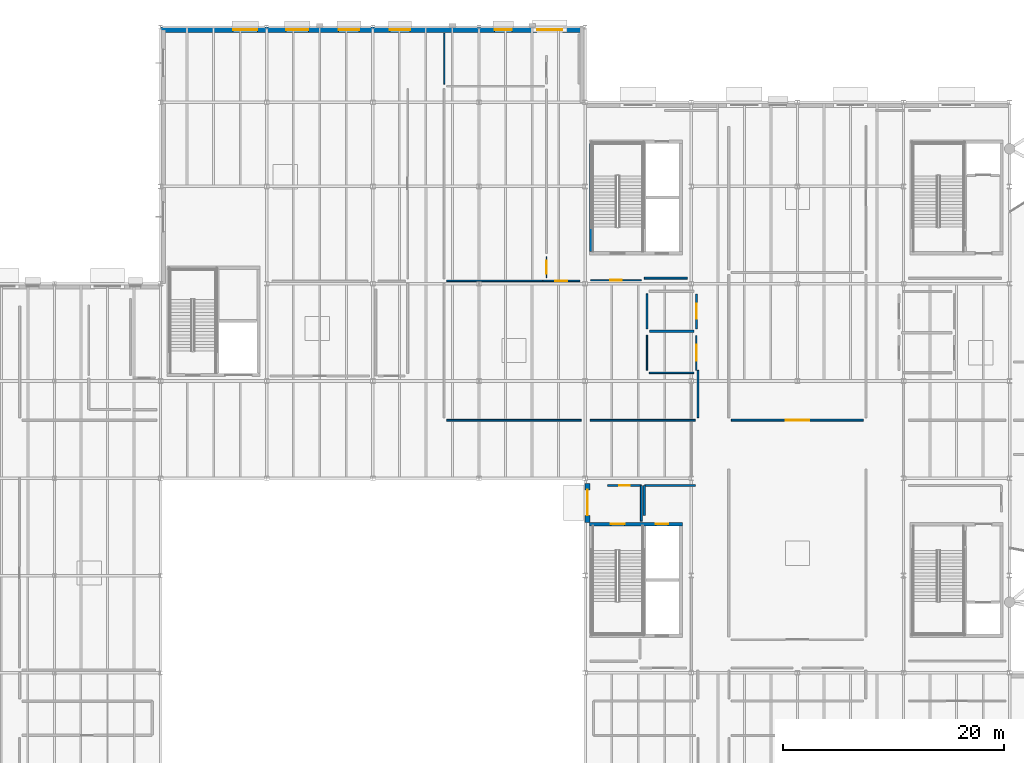
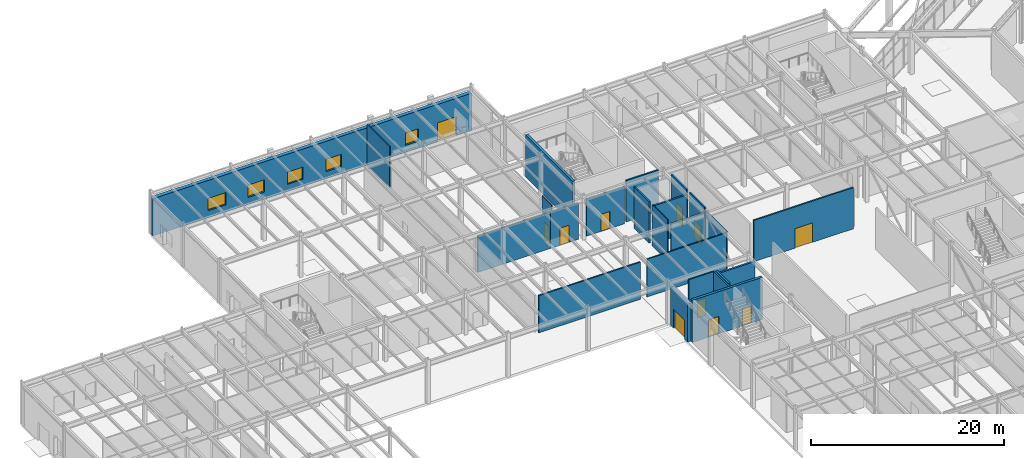
# One storey, part 50 of 70: 24 walls, 11 doors, 5 windows, 16 openings.
"""IFC4 building model written with IfcOpenShell, lengths in metres."""

from ifc_helpers import new_model, si_unit, direction, frame, frame_2d, origin, place, context, subcontext, project, spatial, rectangle, extrude, material, layer, layer_set, type_object, element, fill, save


model = new_model("IFC4")

# Units and contexts
model_context = context("Model", 3, precision=1e-05, world=origin(), true_north=direction((0.0, 1.0)))
body_context = subcontext(model_context, "Body", "Model", "MODEL_VIEW")
ifc_project = project(units=[si_unit("LENGTHUNIT", "METRE"), si_unit("AREAUNIT", "SQUARE_METRE"), si_unit("VOLUMEUNIT", "CUBIC_METRE"), si_unit("PLANEANGLEUNIT", "RADIAN"), si_unit("MASSUNIT", "GRAM", prefix="KILO")], contexts=[model_context])

# Site, building, storey
site_placement = place(None, origin())
site = spatial("IfcSite", under=ifc_project, at=site_placement, CompositionType="ELEMENT")
building_placement = place(site_placement, origin())
building = spatial("IfcBuilding", under=site, at=building_placement, Name="Sarnbrook Museum", CompositionType="ELEMENT")
storey_placement = place(building_placement, origin())
storey = spatial("IfcBuildingStorey", under=building, at=storey_placement, Name="L00", CompositionType="ELEMENT", Elevation=0.0)

# Wall, openings, doors
ifc_material_1 = material(Name="Concrete N50 (AS 3600, f'c = 50 MPa)", Category="concrete")
ifc_layer_1 = layer(ifc_material_1, 0.300048828125)
ifc_layer_set_1 = layer_set([ifc_layer_1], Name="Concrete N50 (AS 3600, f'c = 50 MPa)")
wall_type_1 = type_object("IfcWallType", Name="CoreWall_CWRC", PredefinedType="SHEAR", material=ifc_layer_set_1)
wall_1_placement = place(storey_placement, frame((89.60009765625, 70.25, 0.0), z_axis=(0.0, 0.0, 1.0), x_axis=(-1.0, 0.0, 0.0)))
wall_1 = element("IfcWall", 1, at=wall_1_placement, inside=storey, type_object=wall_type_1, Name="Core C3 Shear Wall N L00", PredefinedType="SHEAR", context=body_context, shape_type="SweptSolid", body=[
    extrude(rectangle(XDim=8.400146484375, YDim=0.300048828125, at=frame_2d((4.2001953125, 0.0))), origin(), (0.0, 0.0, 1.0), 5.344970703125),
])
opening_1_placement = place(wall_1_placement, frame((5.22509765625, 0.0, 0.0)))
opening_1 = element("IfcOpeningElement", 2, at=opening_1_placement, cuts=wall_1, Name="Opening D-ST-ST3-L00", PredefinedType="OPENING", context=body_context, shape_type="SweptSolid", body=[
    extrude(rectangle(XDim=1.25, YDim=2.199951171875, at=frame_2d((0.625, 1.10009765625))), frame((0.0, 0.16015625, 0.0), z_axis=(0.0, -1.0, 0.0), x_axis=(1.0, 0.0, 0.0)), (0.0, 0.0, 1.0), 0.320068359375),
])
opening_2_placement = place(wall_1_placement, frame((1.300048828125, 0.0, 0.0)))
opening_2 = element("IfcOpeningElement", 3, at=opening_2_placement, cuts=wall_1, Name="Opening LD-PL2-L00", PredefinedType="OPENING", context=body_context, shape_type="SweptSolid", body=[
    extrude(rectangle(XDim=1.10009765625, YDim=2.199951171875, at=frame_2d((0.550048828125, 1.10009765625))), frame((0.0, 0.16015625, 0.0), z_axis=(0.0, -1.0, 0.0), x_axis=(1.0, 0.0, 0.0)), (0.0, 0.0, 1.0), 0.320068359375),
])
ifc_material_2 = material(Name="Tasmanian Oak Acoustic Timber", Category="wood")
door_type_1 = type_object("IfcDoorType", Name="FireDoor_FD120", OperationType="NOTDEFINED", PredefinedType="DOOR", material=ifc_material_2)
door_1_placement = place(opening_1_placement, frame((1.25, 0.0, 0.0), z_axis=(0.0, 0.0, 1.0), x_axis=(-1.0, 0.0, 0.0)))
door_1 = element("IfcDoor", 4, at=door_1_placement, inside=storey, type_object=door_type_1, Name="Exit Stair ST3 Fire Door L00", OperationType="SINGLE_SWING_LEFT", OverallHeight=2.199951171875, OverallWidth=1.25, PredefinedType="DOOR", context=body_context, shape_type="SweptSolid", body=[
    extrude(rectangle(XDim=1.25, YDim=2.199951171875, at=frame_2d((0.625, 1.10009765625))), frame((0.0, 0.02490234375, 0.0), z_axis=(0.0, -1.0, 0.0), x_axis=(1.0, 0.0, 0.0)), (0.0, 0.0, 1.0), 0.050048828125),
])
fill(opening_1, door_1)
ifc_material_3 = material(Name="Brushed Stainless Steel Grade 316", Category="steel")
door_type_2 = type_object("IfcDoorType", Name="LiftDoor_Pax110", OperationType="DOUBLE_DOOR_SLIDING", PredefinedType="DOOR", material=ifc_material_3)
door_2_placement = place(opening_2_placement, origin())
door_2 = element("IfcDoor", 5, at=door_2_placement, inside=storey, type_object=door_type_2, Name="Lift Landing Sliding Door LD-PL2-L00", OperationType="DOUBLE_DOOR_SLIDING", OverallHeight=2.199951171875, OverallWidth=1.10009765625, PredefinedType="DOOR", context=body_context, shape_type="SweptSolid", body=[
    extrude(rectangle(XDim=1.10009765625, YDim=2.199951171875, at=frame_2d((0.550048828125, 1.10009765625))), frame((0.0, 0.02490234375, 0.0), z_axis=(0.0, -1.0, 0.0), x_axis=(1.0, 0.0, 0.0)), (0.0, 0.0, 1.0), 0.050048828125),
])
fill(opening_2, door_2)

# Wall
wall_2_placement = place(storey_placement, frame((81.35009765625, 104.68994140625, 0.0), z_axis=(0.0, 0.0, 1.0), x_axis=(0.0, -1.0, 0.0)))
element("IfcWall", 6, at=wall_2_placement, inside=storey, type_object=wall_type_1, Name="Core C4 Shear Wall W L00", PredefinedType="SHEAR", context=body_context, shape_type="SweptSolid", body=[
    extrude(rectangle(XDim=9.780029296875, YDim=0.300048828125, at=frame_2d((4.89013671875, 0.0))), origin(), (0.0, 0.0, 1.0), 5.344970703125),
])

# Wall, opening, door
ifc_material_4 = material(Name="Fire-Rated Acoustic Gypsum Plasterboard")
ifc_layer_2 = layer(ifc_material_4, 0.1201171875)
ifc_layer_set_2 = layer_set([ifc_layer_2], Name="Fire-Rated Acoustic Gypsum Plasterboard")
wall_type_2 = type_object("IfcWallType", Name="PartWall_P120", PredefinedType="PARTITIONING", material=ifc_layer_set_2)
wall_3_placement = place(storey_placement, frame((77.31005859375, 94.47998046875, 0.0), z_axis=(0.0, 0.0, 1.0), x_axis=(0.0, -1.0, 0.0)))
wall_3 = element("IfcWall", 7, at=wall_3_placement, inside=storey, type_object=wall_type_2, Name="Interior Partition Wall L00-0153", PredefinedType="PARTITIONING", context=body_context, shape_type="SweptSolid", body=[
    extrude(rectangle(XDim=1.97998046875, YDim=0.1201171875, at=frame_2d((0.989990234375, 0.0))), origin(), (0.0, 0.0, 1.0), 5.22998046875),
])
opening_3_placement = place(wall_3_placement, frame((0.409912109375, 0.0, 0.0)))
opening_3 = element("IfcOpeningElement", 8, at=opening_3_placement, cuts=wall_3, Name="Opening D-L00-049", PredefinedType="OPENING", context=body_context, shape_type="SweptSolid", body=[
    extrude(rectangle(XDim=1.159912109375, YDim=2.159912109375, at=frame_2d((0.580078125, 1.080078125))), frame((0.0, 0.070068359375, 0.0), z_axis=(0.0, -1.0, 0.0), x_axis=(1.0, 0.0, 0.0)), (0.0, 0.0, 1.0), 0.14013671875),
])
door_type_3 = type_object("IfcDoorType", Name="IntDoor_DT11", OperationType="NOTDEFINED", PredefinedType="DOOR", material=ifc_material_2)
door_3_placement = place(opening_3_placement, frame((1.159912109375, 0.0, 0.0), z_axis=(0.0, 0.0, 1.0), x_axis=(-1.0, 0.0, 0.0)))
door_3 = element("IfcDoor", 9, at=door_3_placement, inside=storey, type_object=door_type_3, Name="Museum Bookshop & Retail Hall L00-33 Door D-L00-049", OperationType="SINGLE_SWING_LEFT", OverallHeight=2.159912109375, OverallWidth=1.159912109375, PredefinedType="DOOR", context=body_context, shape_type="SweptSolid", body=[
    extrude(rectangle(XDim=1.159912109375, YDim=2.159912109375, at=frame_2d((0.580078125, 1.080078125))), frame((0.0, 0.02490234375, 0.0), z_axis=(0.0, -1.0, 0.0), x_axis=(1.0, 0.0, 0.0)), (0.0, 0.0, 1.0), 0.050048828125),
])
fill(opening_3, door_3)

# Walls
wall_4_placement = place(storey_placement, frame((86.389892578125, 84.169921875, 0.0), z_axis=(0.0, 0.0, 1.0), x_axis=(0.0, 1.0, 0.0)))
element("IfcWall", 10, at=wall_4_placement, inside=storey, type_object=wall_type_2, Name="Interior Partition Wall L00-0181", PredefinedType="PARTITIONING", context=body_context, shape_type="SweptSolid", body=[
    extrude(rectangle(XDim=3.16015625, YDim=0.1201171875, at=frame_2d((1.580078125, 0.0))), origin(), (0.0, 0.0, 1.0), 5.22998046875),
])
wall_5_placement = place(storey_placement, frame((68.050048828125, 110.050048828125, 0.0), z_axis=(0.0, 0.0, 1.0), x_axis=(0.0, 1.0, 0.0)))
element("IfcWall", 11, at=wall_5_placement, inside=storey, type_object=wall_type_2, Name="Interior Partition Wall L00-0265", PredefinedType="PARTITIONING", context=body_context, shape_type="SweptSolid", body=[
    extrude(rectangle(XDim=4.60986328125, YDim=0.1201171875, at=frame_2d((2.304931640625, 0.0))), origin(), (0.0, 0.0, 1.0), 5.22998046875),
])

# Wall, opening, door
ifc_layer_3 = layer(ifc_material_4, 0.135009765625)
ifc_layer_set_3 = layer_set([ifc_layer_3], Name="Fire-Rated Acoustic Gypsum Plasterboard")
wall_type_3 = type_object("IfcWallType", Name="PartWall_P135", PredefinedType="PARTITIONING", material=ifc_layer_set_3)
wall_6_placement = place(storey_placement, frame((76.97998046875, 92.260009765625, 0.0), z_axis=(0.0, 0.0, 1.0), x_axis=(1.0, 0.0, 0.0)))
wall_6 = element("IfcWall", 12, at=wall_6_placement, inside=storey, type_object=wall_type_3, Name="Interior Partition Wall L00-0152", PredefinedType="PARTITIONING", context=body_context, shape_type="SweptSolid", body=[
    extrude(rectangle(XDim=3.340087890625, YDim=0.135009765625, at=frame_2d((1.669921875, 0.0))), origin(), (0.0, 0.0, 1.0), 4.637939453125),
])
opening_4_placement = place(wall_6_placement, frame((1.125, 0.0, 0.0)))
opening_4 = element("IfcOpeningElement", 13, at=opening_4_placement, cuts=wall_6, Name="Opening D-L00-048", PredefinedType="OPENING", context=body_context, shape_type="SweptSolid", body=[
    extrude(rectangle(XDim=1.090087890625, YDim=2.159912109375, at=frame_2d((0.544921875, 1.080078125))), frame((0.0, 0.07763671875, 0.0), z_axis=(0.0, -1.0, 0.0), x_axis=(1.0, 0.0, 0.0)), (0.0, 0.0, 1.0), 0.155029296875),
])
door_type_4 = type_object("IfcDoorType", Name="IntDoor_DT10", OperationType="NOTDEFINED", PredefinedType="DOOR", material=ifc_material_2)
door_4_placement = place(opening_4_placement, frame((1.090087890625, 0.0, 0.0), z_axis=(0.0, 0.0, 1.0), x_axis=(-1.0, 0.0, 0.0)))
door_4 = element("IfcDoor", 14, at=door_4_placement, inside=storey, type_object=door_type_4, Name="Sculpture Plinth Gallery L00-32 Door D-L00-048", OperationType="SINGLE_SWING_RIGHT", OverallHeight=2.159912109375, OverallWidth=1.090087890625, PredefinedType="DOOR", context=body_context, shape_type="SweptSolid", body=[
    extrude(rectangle(XDim=1.090087890625, YDim=2.159912109375, at=frame_2d((0.544921875, 1.080078125))), frame((0.0, 0.02490234375, 0.0), z_axis=(0.0, -1.0, 0.0), x_axis=(1.0, 0.0, 0.0)), (0.0, 0.0, 1.0), 0.050048828125),
])
fill(opening_4, door_4)

# Walls
wall_7_placement = place(storey_placement, frame((90.6298828125, 83.93994140625, 0.0), z_axis=(0.0, 0.0, 1.0), x_axis=(-1.0, 0.0, 0.0)))
element("IfcWall", 15, at=wall_7_placement, inside=storey, type_object=wall_type_3, Name="Interior Partition Wall L00-0180", PredefinedType="PARTITIONING", context=body_context, shape_type="SweptSolid", body=[
    extrude(rectangle(XDim=4.009765625, YDim=0.135009765625, at=frame_2d((2.0048828125, 0.0))), origin(), (0.0, 0.0, 1.0), 4.787109375),
])
wall_8_placement = place(storey_placement, frame((68.280029296875, 92.260009765625, 0.0), z_axis=(0.0, 0.0, 1.0), x_axis=(1.0, 0.0, 0.0)))
element("IfcWall", 16, at=wall_8_placement, inside=storey, type_object=wall_type_3, Name="Interior Partition Wall L00-0292", PredefinedType="PARTITIONING", context=body_context, shape_type="SweptSolid", body=[
    extrude(rectangle(XDim=8.699951171875, YDim=0.135009765625, at=frame_2d((4.35009765625, 0.0))), origin(), (0.0, 0.0, 1.0), 4.637939453125),
])

# Wall, opening, door
ifc_layer_4 = layer(ifc_material_4, 0.14990234375)
ifc_layer_set_4 = layer_set([ifc_layer_4], Name="Fire-Rated Acoustic Gypsum Plasterboard")
wall_type_4 = type_object("IfcWallType", Name="PartWall_P150", PredefinedType="PARTITIONING", material=ifc_layer_set_4)
wall_9_placement = place(storey_placement, frame((81.280029296875, 92.31005859375, 0.0), z_axis=(0.0, 0.0, 1.0), x_axis=(1.0, 0.0, 0.0)))
wall_9 = element("IfcWall", 17, at=wall_9_placement, inside=storey, type_object=wall_type_4, Name="Interior Partition Wall L00-0151", PredefinedType="PARTITIONING", context=body_context, shape_type="SweptSolid", body=[
    extrude(rectangle(XDim=4.599853515625, YDim=0.14990234375, at=frame_2d((2.2998046875, 0.0))), origin(), (0.0, 0.0, 1.0), 4.7080078125),
])
opening_5_placement = place(wall_9_placement, frame((1.784912109375, 0.0, 0.0)))
opening_5 = element("IfcOpeningElement", 18, at=opening_5_placement, cuts=wall_9, Name="Opening D-L00-047", PredefinedType="OPENING", context=body_context, shape_type="SweptSolid", body=[
    extrude(rectangle(XDim=1.030029296875, YDim=2.159912109375, at=frame_2d((0.51513671875, 1.080078125))), frame((0.0, 0.0849609375, 0.0), z_axis=(0.0, -1.0, 0.0), x_axis=(1.0, 0.0, 0.0)), (0.0, 0.0, 1.0), 0.169921875),
])
door_type_5 = type_object("IfcDoorType", Name="IntDoor_DT09", OperationType="NOTDEFINED", PredefinedType="DOOR", material=ifc_material_2)
door_5_placement = place(opening_5_placement, frame((1.030029296875, 0.0, 0.0), z_axis=(0.0, 0.0, 1.0), x_axis=(-1.0, 0.0, 0.0)))
door_5 = element("IfcDoor", 19, at=door_5_placement, inside=storey, type_object=door_type_5, Name="Seminar & Education Studio L00-9 Door D-L00-047", OperationType="SINGLE_SWING_LEFT", OverallHeight=2.159912109375, OverallWidth=1.030029296875, PredefinedType="DOOR", context=body_context, shape_type="SweptSolid", body=[
    extrude(rectangle(XDim=1.030029296875, YDim=2.159912109375, at=frame_2d((0.51513671875, 1.080078125))), frame((0.0, 0.02490234375, 0.0), z_axis=(0.0, -1.0, 0.0), x_axis=(1.0, 0.0, 0.0)), (0.0, 0.0, 1.0), 0.050048828125),
])
fill(opening_5, door_5)

wall_10_placement = place(storey_placement, frame((90.860107421875, 87.330078125, 0.0), z_axis=(0.0, 0.0, 1.0), x_axis=(0.0, -1.0, 0.0)))
wall_10 = element("IfcWall", 20, at=wall_10_placement, inside=storey, type_object=wall_type_4, Name="Interior Partition Wall L00-0179", PredefinedType="PARTITIONING", context=body_context, shape_type="SweptSolid", body=[
    extrude(rectangle(XDim=3.16015625, YDim=0.14990234375, at=frame_2d((1.580078125, 0.0))), origin(), (0.0, 0.0, 1.0), 5.22998046875),
])
opening_6_placement = place(wall_10_placement, frame((0.840087890625, 0.0, 0.0)))
opening_6 = element("IfcOpeningElement", 21, at=opening_6_placement, cuts=wall_10, Name="Opening D-L00-058", PredefinedType="OPENING", context=body_context, shape_type="SweptSolid", body=[
    extrude(rectangle(XDim=1.47998046875, YDim=2.239990234375, at=frame_2d((0.739990234375, 1.1201171875))), frame((0.0, 0.0849609375, 0.0), z_axis=(0.0, -1.0, 0.0), x_axis=(1.0, 0.0, 0.0)), (0.0, 0.0, 1.0), 0.169921875),
])
door_type_6 = type_object("IfcDoorType", Name="IntDoor_DT20", OperationType="NOTDEFINED", PredefinedType="DOOR", material=ifc_material_2)
door_6_placement = place(opening_6_placement, frame((1.47998046875, 0.0, 0.0), z_axis=(0.0, 0.0, 1.0), x_axis=(-1.0, 0.0, 0.0)))
door_6 = element("IfcDoor", 22, at=door_6_placement, inside=storey, type_object=door_type_6, Name="Curatorial Staff Toilet L00 Door D-L00-058", OperationType="SINGLE_SWING_RIGHT", OverallHeight=2.239990234375, OverallWidth=1.47998046875, PredefinedType="DOOR", context=body_context, shape_type="SweptSolid", body=[
    extrude(rectangle(XDim=1.47998046875, YDim=2.239990234375, at=frame_2d((0.739990234375, 1.1201171875))), frame((0.0, 0.02490234375, 0.0), z_axis=(0.0, -1.0, 0.0), x_axis=(1.0, 0.0, 0.0)), (0.0, 0.0, 1.0), 0.050048828125),
])
fill(opening_6, door_6)

# Wall
wall_11_placement = place(storey_placement, frame((90.77001953125, 79.64990234375, 0.0), z_axis=(0.0, 0.0, 1.0), x_axis=(-1.0, 0.0, 0.0)))
element("IfcWall", 23, at=wall_11_placement, inside=storey, type_object=wall_type_4, Name="Interior Partition Wall L00-0207", PredefinedType="PARTITIONING", context=body_context, shape_type="SweptSolid", body=[
    extrude(rectangle(XDim=9.52001953125, YDim=0.14990234375, at=frame_2d((4.760009765625, 0.0))), origin(), (0.0, 0.0, 1.0), 4.787109375),
])

# Wall, opening, door
ifc_layer_5 = layer(ifc_material_4, 0.1650390625)
ifc_layer_set_5 = layer_set([ifc_layer_5], Name="Fire-Rated Acoustic Gypsum Plasterboard")
wall_type_5 = type_object("IfcWallType", Name="PartWall_P165", PredefinedType="PARTITIONING", material=ifc_layer_set_5)
wall_12_placement = place(storey_placement, frame((85.8798828125, 73.739990234375, 0.0), z_axis=(0.0, 0.0, 1.0), x_axis=(-1.0, 0.0, 0.0)))
wall_12 = element("IfcWall", 24, at=wall_12_placement, inside=storey, type_object=wall_type_5, Name="Interior Partition Wall L00-0150", PredefinedType="PARTITIONING", context=body_context, shape_type="SweptSolid", body=[
    extrude(rectangle(XDim=3.0478515625, YDim=0.1650390625, at=frame_2d((1.52392578125, 0.0))), origin(), (0.0, 0.0, 1.0), 5.22998046875),
])
opening_7_placement = place(wall_12_placement, frame((1.0390625, 0.0, 0.0)))
opening_7 = element("IfcOpeningElement", 25, at=opening_7_placement, cuts=wall_12, Name="Opening D-L00-046", PredefinedType="OPENING", context=body_context, shape_type="SweptSolid", body=[
    extrude(rectangle(XDim=0.969970703125, YDim=2.159912109375, at=frame_2d((0.48486328125, 1.080078125))), frame((0.0, 0.092529296875, 0.0), z_axis=(0.0, -1.0, 0.0), x_axis=(1.0, 0.0, 0.0)), (0.0, 0.0, 1.0), 0.18505859375),
])
door_type_7 = type_object("IfcDoorType", Name="IntDoor_DT08", OperationType="NOTDEFINED", PredefinedType="DOOR", material=ifc_material_2)
door_7_placement = place(opening_7_placement, origin())
door_7 = element("IfcDoor", 26, at=door_7_placement, inside=storey, type_object=door_type_7, Name="Cloakroom & Visitor Services L00-8 Door D-L00-046", OperationType="SINGLE_SWING_RIGHT", OverallHeight=2.159912109375, OverallWidth=0.969970703125, PredefinedType="DOOR", context=body_context, shape_type="SweptSolid", body=[
    extrude(rectangle(XDim=0.969970703125, YDim=2.159912109375, at=frame_2d((0.48486328125, 1.080078125))), frame((0.0, 0.02490234375, 0.0), z_axis=(0.0, -1.0, 0.0), x_axis=(1.0, 0.0, 0.0)), (0.0, 0.0, 1.0), 0.050048828125),
])
fill(opening_7, door_7)

# Walls
wall_13_placement = place(storey_placement, frame((86.389892578125, 87.919921875, 0.0), z_axis=(0.0, 0.0, 1.0), x_axis=(0.0, 1.0, 0.0)))
element("IfcWall", 27, at=wall_13_placement, inside=storey, type_object=wall_type_5, Name="Interior Partition Wall L00-0178", PredefinedType="PARTITIONING", context=body_context, shape_type="SweptSolid", body=[
    extrude(rectangle(XDim=3.16015625, YDim=0.1650390625, at=frame_2d((1.580078125, 0.0))), origin(), (0.0, 0.0, 1.0), 5.22998046875),
])
wall_14_placement = place(storey_placement, frame((91.0, 84.169921875, 0.0), z_axis=(0.0, 0.0, 1.0), x_axis=(0.0, -1.0, 0.0)))
element("IfcWall", 28, at=wall_14_placement, inside=storey, type_object=wall_type_5, Name="Interior Partition Wall L00-0206", PredefinedType="PARTITIONING", context=body_context, shape_type="SweptSolid", body=[
    extrude(rectangle(XDim=4.2900390625, YDim=0.1650390625, at=frame_2d((2.14501953125, 0.0))), origin(), (0.0, 0.0, 1.0), 4.7080078125),
])
wall_15_placement = place(storey_placement, frame((80.43994140625, 79.64990234375, 0.0), z_axis=(0.0, 0.0, 1.0), x_axis=(-1.0, 0.0, 0.0)))
element("IfcWall", 29, at=wall_15_placement, inside=storey, type_object=wall_type_5, Name="Interior Partition Wall L00-0262", PredefinedType="PARTITIONING", context=body_context, shape_type="SweptSolid", body=[
    extrude(rectangle(XDim=12.159912109375, YDim=0.1650390625, at=frame_2d((6.080078125, 0.0))), origin(), (0.0, 0.0, 1.0), 4.717041015625),
])
ifc_layer_6 = layer(ifc_material_4, 0.179931640625)
ifc_layer_set_6 = layer_set([ifc_layer_6], Name="Fire-Rated Acoustic Gypsum Plasterboard")
wall_type_6 = type_object("IfcWallType", Name="PartWall_P180", PredefinedType="PARTITIONING", material=ifc_layer_set_6)
wall_16_placement = place(storey_placement, frame((85.889892578125, 70.52001953125, 0.0), z_axis=(0.0, 0.0, 1.0), x_axis=(0.0, 1.0, 0.0)))
element("IfcWall", 30, at=wall_16_placement, inside=storey, type_object=wall_type_6, Name="Interior Partition Wall L00-0149", PredefinedType="PARTITIONING", context=body_context, shape_type="SweptSolid", body=[
    extrude(rectangle(XDim=3.2099609375, YDim=0.179931640625, at=frame_2d((1.60498046875, 0.0))), origin(), (0.0, 0.0, 1.0), 5.22998046875),
])
wall_17_placement = place(storey_placement, frame((86.159912109375, 92.5, 0.0), z_axis=(0.0, 0.0, 1.0), x_axis=(1.0, 0.0, 0.0)))
element("IfcWall", 31, at=wall_17_placement, inside=storey, type_object=wall_type_6, Name="Interior Partition Wall L00-0205", PredefinedType="PARTITIONING", context=body_context, shape_type="SweptSolid", body=[
    extrude(rectangle(XDim=3.897216796875, YDim=0.179931640625, at=frame_2d((1.94873046875, 0.0))), origin(), (0.0, 0.0, 1.0), 5.22998046875),
])

# Wall, opening, door
wall_18_placement = place(storey_placement, frame((105.969970703125, 79.64990234375, 0.0), z_axis=(0.0, 0.0, 1.0), x_axis=(-1.0, 0.0, 0.0)))
wall_18 = element("IfcWall", 32, at=wall_18_placement, inside=storey, type_object=wall_type_6, Name="Interior Partition Wall L00-0226", PredefinedType="PARTITIONING", context=body_context, shape_type="SweptSolid", body=[
    extrude(rectangle(XDim=11.93994140625, YDim=0.179931640625, at=frame_2d((5.969970703125, 0.0))), origin(), (0.0, 0.0, 1.0), 5.22998046875),
])
opening_8_placement = place(wall_18_placement, frame((4.89990234375, 0.0, 0.0)))
opening_8 = element("IfcOpeningElement", 33, at=opening_8_placement, cuts=wall_18, Name="Opening D-L00-071", PredefinedType="OPENING", context=body_context, shape_type="SweptSolid", body=[
    extrude(rectangle(XDim=2.139892578125, YDim=2.4599609375, at=frame_2d((1.06982421875, 1.22998046875))), frame((0.0, 0.10009765625, 0.0), z_axis=(0.0, -1.0, 0.0), x_axis=(1.0, 0.0, 0.0)), (0.0, 0.0, 1.0), 0.199951171875),
])
door_type_8 = type_object("IfcDoorType", Name="IntDoor_DT33", OperationType="NOTDEFINED", PredefinedType="DOOR", material=ifc_material_2)
door_8_placement = place(opening_8_placement, origin())
door_8 = element("IfcDoor", 34, at=door_8_placement, inside=storey, type_object=door_type_8, Name="Museum Bookshop & Retail Hall L00-15 Door D-L00-071", OperationType="DOUBLE_DOOR_SINGLE_SWING", OverallHeight=2.4599609375, OverallWidth=2.139892578125, PredefinedType="DOOR", context=body_context, shape_type="SweptSolid", body=[
    extrude(rectangle(XDim=2.139892578125, YDim=2.4599609375, at=frame_2d((1.06982421875, 1.22998046875))), frame((0.0, 0.02490234375, 0.0), z_axis=(0.0, -1.0, 0.0), x_axis=(1.0, 0.0, 0.0)), (0.0, 0.0, 1.0), 0.050048828125),
])
fill(opening_8, door_8)

# Wall
ifc_layer_7 = layer(ifc_material_4, 0.195068359375)
ifc_layer_set_7 = layer_set([ifc_layer_7], Name="Fire-Rated Acoustic Gypsum Plasterboard")
wall_type_7 = type_object("IfcWallType", Name="PartWall_P195", PredefinedType="PARTITIONING", material=ifc_layer_set_7)
wall_19_placement = place(storey_placement, frame((86.14990234375, 73.739990234375, 0.0), z_axis=(0.0, 0.0, 1.0), x_axis=(0.0, -1.0, 0.0)))
element("IfcWall", 35, at=wall_19_placement, inside=storey, type_object=wall_type_7, Name="Interior Partition Wall L00-0148", PredefinedType="PARTITIONING", context=body_context, shape_type="SweptSolid", body=[
    extrude(rectangle(XDim=2.706787109375, YDim=0.195068359375, at=frame_2d((1.353515625, 0.0))), origin(), (0.0, 0.0, 1.0), 5.22998046875),
])

# Wall, opening, door
wall_20_placement = place(storey_placement, frame((90.860107421875, 91.080078125, 0.0), z_axis=(0.0, 0.0, 1.0), x_axis=(0.0, -1.0, 0.0)))
wall_20 = element("IfcWall", 36, at=wall_20_placement, inside=storey, type_object=wall_type_7, Name="Interior Partition Wall L00-0176", PredefinedType="PARTITIONING", context=body_context, shape_type="SweptSolid", body=[
    extrude(rectangle(XDim=3.16015625, YDim=0.195068359375, at=frame_2d((1.580078125, 0.0))), origin(), (0.0, 0.0, 1.0), 5.22998046875),
])
opening_9_placement = place(wall_20_placement, frame((0.889892578125, 0.0, 0.0)))
opening_9 = element("IfcOpeningElement", 37, at=opening_9_placement, cuts=wall_20, Name="Opening D-L00-057", PredefinedType="OPENING", context=body_context, shape_type="SweptSolid", body=[
    extrude(rectangle(XDim=1.3798828125, YDim=2.239990234375, at=frame_2d((0.68994140625, 1.1201171875))), frame((0.0, 0.107421875, 0.0), z_axis=(0.0, -1.0, 0.0), x_axis=(1.0, 0.0, 0.0)), (0.0, 0.0, 1.0), 0.215087890625),
])
door_type_9 = type_object("IfcDoorType", Name="IntDoor_DT19", OperationType="NOTDEFINED", PredefinedType="DOOR", material=ifc_material_2)
door_9_placement = place(opening_9_placement, frame((1.3798828125, 0.0, 0.0), z_axis=(0.0, 0.0, 1.0), x_axis=(-1.0, 0.0, 0.0)))
door_9 = element("IfcDoor", 38, at=door_9_placement, inside=storey, type_object=door_type_9, Name="Accessible Unisex Toilet L00 Door D-L00-057", OperationType="SINGLE_SWING_LEFT", OverallHeight=2.239990234375, OverallWidth=1.3798828125, PredefinedType="DOOR", context=body_context, shape_type="SweptSolid", body=[
    extrude(rectangle(XDim=1.3798828125, YDim=2.239990234375, at=frame_2d((0.68994140625, 1.1201171875))), frame((0.0, 0.02490234375, 0.0), z_axis=(0.0, -1.0, 0.0), x_axis=(1.0, 0.0, 0.0)), (0.0, 0.0, 1.0), 0.050048828125),
])
fill(opening_9, door_9)

# Walls
ifc_layer_8 = layer(ifc_material_4, 0.2099609375)
ifc_layer_set_8 = layer_set([ifc_layer_8], Name="Fire-Rated Acoustic Gypsum Plasterboard")
wall_type_8 = type_object("IfcWallType", Name="PartWall_P210", PredefinedType="PARTITIONING", material=ifc_layer_set_8)
wall_21_placement = place(storey_placement, frame((90.6298828125, 87.68994140625, 0.0), z_axis=(0.0, 0.0, 1.0), x_axis=(-1.0, 0.0, 0.0)))
element("IfcWall", 39, at=wall_21_placement, inside=storey, type_object=wall_type_8, Name="Interior Partition Wall L00-0175", PredefinedType="PARTITIONING", context=body_context, shape_type="SweptSolid", body=[
    extrude(rectangle(XDim=4.009765625, YDim=0.2099609375, at=frame_2d((2.0048828125, 0.0))), origin(), (0.0, 0.0, 1.0), 4.787109375),
])
wall_22_placement = place(storey_placement, frame((90.77001953125, 73.75, 0.0), z_axis=(0.0, 0.0, 1.0), x_axis=(-1.0, 0.0, 0.0)))
element("IfcWall", 40, at=wall_22_placement, inside=storey, type_object=wall_type_8, Name="Interior Partition Wall L00-0203", PredefinedType="PARTITIONING", context=body_context, shape_type="SweptSolid", body=[
    extrude(rectangle(XDim=4.610107421875, YDim=0.2099609375, at=frame_2d((2.30517578125, 0.0))), origin(), (0.0, 0.0, 1.0), 4.787109375),
])

# Wall, openings, door, windows
ifc_material_5 = material(Name="Barrabool Sandstone Ashlar Cladding", Category="masonry")
ifc_layer_9 = layer(ifc_material_5, 0.4599609375)
ifc_layer_set_9 = layer_set([ifc_layer_9], Name="Barrabool Sandstone Ashlar Cladding")
wall_type_9 = type_object("IfcWallType", Name="Wall_SandstoneExt460", PredefinedType="SOLIDWALL", material=ifc_layer_set_9)
wall_23_placement = place(storey_placement, frame((80.56396484375, 114.969970703125, 0.0), z_axis=(0.0, 0.0, 1.0), x_axis=(-1.0, 0.0, 0.0)))
wall_23 = element("IfcWall", 41, at=wall_23_placement, inside=storey, type_object=wall_type_9, Name="Classical Sandstone Facade Wall L00-08", PredefinedType="SOLIDWALL", context=body_context, shape_type="SweptSolid", body=[
    extrude(rectangle(XDim=38.1640625, YDim=0.4599609375, at=frame_2d((19.08203125, 0.0))), origin(), (0.0, 0.0, 1.0), 4.73193359375),
])
opening_10_placement = place(wall_23_placement, frame((1.81396484375, 0.0, 0.0)))
opening_10 = element("IfcOpeningElement", 42, at=opening_10_placement, cuts=wall_23, Name="Opening ED36", PredefinedType="OPENING", context=body_context, shape_type="SweptSolid", body=[
    extrude(rectangle(XDim=2.300048828125, YDim=2.39990234375, at=frame_2d((1.14990234375, 1.199951171875))), frame((0.0, 0.239990234375, 0.0), z_axis=(0.0, -1.0, 0.0), x_axis=(1.0, 0.0, 0.0)), (0.0, 0.0, 1.0), 0.47998046875),
])
opening_11_placement = place(wall_23_placement, frame((6.39990234375, 0.0, 0.89990234375)))
opening_11 = element("IfcOpeningElement", 43, at=opening_11_placement, cuts=wall_23, Name="Opening WT-05", PredefinedType="OPENING", context=body_context, shape_type="SweptSolid", body=[
    extrude(rectangle(XDim=1.550048828125, YDim=1.550048828125, at=frame_2d((0.77490234375, 0.77490234375))), frame((0.0, 0.239990234375, 0.0), z_axis=(0.0, -1.0, 0.0), x_axis=(1.0, 0.0, 0.0)), (0.0, 0.0, 1.0), 0.47998046875),
])
opening_12_placement = place(wall_23_placement, frame((15.60009765625, 0.0, 0.89990234375)))
opening_12 = element("IfcOpeningElement", 44, at=opening_12_placement, cuts=wall_23, Name="Opening WT-06", PredefinedType="OPENING", context=body_context, shape_type="SweptSolid", body=[
    extrude(rectangle(XDim=1.820068359375, YDim=1.550048828125, at=frame_2d((0.91015625, 0.77490234375))), frame((0.0, 0.239990234375, 0.0), z_axis=(0.0, -1.0, 0.0), x_axis=(1.0, 0.0, 0.0)), (0.0, 0.0, 1.0), 0.47998046875),
])
opening_13_placement = place(wall_23_placement, frame((20.199951171875, 0.0, 0.89990234375)))
opening_13 = element("IfcOpeningElement", 45, at=opening_13_placement, cuts=wall_23, Name="Opening WT-07", PredefinedType="OPENING", context=body_context, shape_type="SweptSolid", body=[
    extrude(rectangle(XDim=1.85009765625, YDim=1.550048828125, at=frame_2d((0.925048828125, 0.77490234375))), frame((0.0, 0.239990234375, 0.0), z_axis=(0.0, -1.0, 0.0), x_axis=(1.0, 0.0, 0.0)), (0.0, 0.0, 1.0), 0.47998046875),
])
opening_14_placement = place(wall_23_placement, frame((24.800048828125, 0.0, 0.89990234375)))
opening_14 = element("IfcOpeningElement", 46, at=opening_14_placement, cuts=wall_23, Name="Opening WT-08", PredefinedType="OPENING", context=body_context, shape_type="SweptSolid", body=[
    extrude(rectangle(XDim=2.0, YDim=1.550048828125, at=frame_2d((1.0, 0.77490234375))), frame((0.0, 0.239990234375, 0.0), z_axis=(0.0, -1.0, 0.0), x_axis=(1.0, 0.0, 0.0)), (0.0, 0.0, 1.0), 0.47998046875),
])
opening_15_placement = place(wall_23_placement, frame((29.39990234375, 0.0, 0.89990234375)))
opening_15 = element("IfcOpeningElement", 47, at=opening_15_placement, cuts=wall_23, Name="Opening WT-09", PredefinedType="OPENING", context=body_context, shape_type="SweptSolid", body=[
    extrude(rectangle(XDim=2.199951171875, YDim=1.550048828125, at=frame_2d((1.10009765625, 0.77490234375))), frame((0.0, 0.239990234375, 0.0), z_axis=(0.0, -1.0, 0.0), x_axis=(1.0, 0.0, 0.0)), (0.0, 0.0, 1.0), 0.47998046875),
])
door_type_10 = type_object("IfcDoorType", Name="DoorType_EDT3", OperationType="DOUBLE_DOOR_SINGLE_SWING", PredefinedType="DOOR", material=ifc_material_3)
door_10_placement = place(opening_10_placement, frame((2.300048828125, 0.0, 0.0), z_axis=(0.0, 0.0, 1.0), x_axis=(-1.0, 0.0, 0.0)))
door_10 = element("IfcDoor", 48, at=door_10_placement, inside=storey, type_object=door_type_10, Name="Exit Stair ST4 Direct Pedestrian Final Exit Door ED36", OperationType="DOUBLE_DOOR_SINGLE_SWING", OverallHeight=2.39990234375, OverallWidth=2.300048828125, PredefinedType="DOOR", context=body_context, shape_type="SweptSolid", body=[
    extrude(rectangle(XDim=2.300048828125, YDim=2.39990234375, at=frame_2d((1.14990234375, 1.199951171875))), frame((0.0, 0.02490234375, 0.0), z_axis=(0.0, -1.0, 0.0), x_axis=(1.0, 0.0, 0.0)), (0.0, 0.0, 1.0), 0.050048828125),
])
fill(opening_10, door_10)
ifc_material_6 = material(Name="Double-Glazed Low-Iron Laminated Safety Glass", Category="glass")
window_type_1 = type_object("IfcWindowType", Name="Window_Classical_WT05", PartitioningType="SINGLE_PANEL", PredefinedType="WINDOW", material=ifc_material_6)
window_1_placement = place(opening_11_placement, origin())
window_1 = element("IfcWindow", 49, at=window_1_placement, inside=storey, type_object=window_type_1, Name="Classical Bronze Casement Window WIN:L00:0005", OverallHeight=1.550048828125, OverallWidth=1.550048828125, PartitioningType="SINGLE_PANEL", PredefinedType="WINDOW", context=body_context, shape_type="SweptSolid", body=[
    extrude(rectangle(XDim=1.550048828125, YDim=1.550048828125, at=frame_2d((0.77490234375, 0.77490234375))), frame((0.0, 0.030029296875, 0.0), z_axis=(0.0, -1.0, 0.0), x_axis=(1.0, 0.0, 0.0)), (0.0, 0.0, 1.0), 0.06005859375),
])
fill(opening_11, window_1)
window_type_2 = type_object("IfcWindowType", Name="Window_Classical_WT06", PartitioningType="SINGLE_PANEL", PredefinedType="WINDOW", material=ifc_material_6)
window_2_placement = place(opening_12_placement, origin())
window_2 = element("IfcWindow", 50, at=window_2_placement, inside=storey, type_object=window_type_2, Name="Classical Bronze Casement Window WIN:L00:0006", OverallHeight=1.550048828125, OverallWidth=1.820068359375, PartitioningType="SINGLE_PANEL", PredefinedType="WINDOW", context=body_context, shape_type="SweptSolid", body=[
    extrude(rectangle(XDim=1.820068359375, YDim=1.550048828125, at=frame_2d((0.91015625, 0.77490234375))), frame((0.0, 0.030029296875, 0.0), z_axis=(0.0, -1.0, 0.0), x_axis=(1.0, 0.0, 0.0)), (0.0, 0.0, 1.0), 0.06005859375),
])
fill(opening_12, window_2)
window_type_3 = type_object("IfcWindowType", Name="Window_Classical_WT07", PartitioningType="SINGLE_PANEL", PredefinedType="WINDOW", material=ifc_material_6)
window_3_placement = place(opening_13_placement, origin())
window_3 = element("IfcWindow", 51, at=window_3_placement, inside=storey, type_object=window_type_3, Name="Classical Bronze Casement Window WIN:L00:0007", OverallHeight=1.550048828125, OverallWidth=1.85009765625, PartitioningType="SINGLE_PANEL", PredefinedType="WINDOW", context=body_context, shape_type="SweptSolid", body=[
    extrude(rectangle(XDim=1.85009765625, YDim=1.550048828125, at=frame_2d((0.925048828125, 0.77490234375))), frame((0.0, 0.030029296875, 0.0), z_axis=(0.0, -1.0, 0.0), x_axis=(1.0, 0.0, 0.0)), (0.0, 0.0, 1.0), 0.06005859375),
])
fill(opening_13, window_3)
window_type_4 = type_object("IfcWindowType", Name="Window_Classical_WT08", PartitioningType="SINGLE_PANEL", PredefinedType="WINDOW", material=ifc_material_6)
window_4_placement = place(opening_14_placement, origin())
window_4 = element("IfcWindow", 52, at=window_4_placement, inside=storey, type_object=window_type_4, Name="Classical Bronze Casement Window WIN:L00:0008", OverallHeight=1.550048828125, OverallWidth=2.0, PartitioningType="SINGLE_PANEL", PredefinedType="WINDOW", context=body_context, shape_type="SweptSolid", body=[
    extrude(rectangle(XDim=2.0, YDim=1.550048828125, at=frame_2d((1.0, 0.77490234375))), frame((0.0, 0.030029296875, 0.0), z_axis=(0.0, -1.0, 0.0), x_axis=(1.0, 0.0, 0.0)), (0.0, 0.0, 1.0), 0.06005859375),
])
fill(opening_14, window_4)
window_type_5 = type_object("IfcWindowType", Name="Window_Classical_WT09", PartitioningType="SINGLE_PANEL", PredefinedType="WINDOW", material=ifc_material_6)
window_5_placement = place(opening_15_placement, origin())
window_5 = element("IfcWindow", 53, at=window_5_placement, inside=storey, type_object=window_type_5, Name="Classical Bronze Casement Window WIN:L00:0009", OverallHeight=1.550048828125, OverallWidth=2.199951171875, PartitioningType="SINGLE_PANEL", PredefinedType="WINDOW", context=body_context, shape_type="SweptSolid", body=[
    extrude(rectangle(XDim=2.199951171875, YDim=1.550048828125, at=frame_2d((1.10009765625, 0.77490234375))), frame((0.0, 0.030029296875, 0.0), z_axis=(0.0, -1.0, 0.0), x_axis=(1.0, 0.0, 0.0)), (0.0, 0.0, 1.0), 0.06005859375),
])
fill(opening_15, window_5)

# Wall, opening, door
wall_24_placement = place(storey_placement, frame((81.030029296875, 73.949951171875, 0.0), z_axis=(0.0, 0.0, 1.0), x_axis=(0.0, -1.0, 0.0)))
wall_24 = element("IfcWall", 54, at=wall_24_placement, inside=storey, type_object=wall_type_9, Name="Central Courtyard East Exit Wall L00", PredefinedType="SOLIDWALL", context=body_context, shape_type="SweptSolid", body=[
    extrude(rectangle(XDim=3.530029296875, YDim=0.4599609375, at=frame_2d((1.76513671875, 0.0))), origin(), (0.0, 0.0, 1.0), 4.800048828125),
])
opening_16_placement = place(wall_24_placement, frame((0.60009765625, 0.0, 0.0)))
opening_16 = element("IfcOpeningElement", 55, at=opening_16_placement, cuts=wall_24, Name="Opening ED35", PredefinedType="OPENING", context=body_context, shape_type="SweptSolid", body=[
    extrude(rectangle(XDim=2.300048828125, YDim=2.39990234375, at=frame_2d((1.14990234375, 1.199951171875))), frame((0.0, 0.239990234375, 0.0), z_axis=(0.0, -1.0, 0.0), x_axis=(1.0, 0.0, 0.0)), (0.0, 0.0, 1.0), 0.47998046875),
])
door_11_placement = place(opening_16_placement, frame((2.300048828125, 0.0, 0.0), z_axis=(0.0, 0.0, 1.0), x_axis=(-1.0, 0.0, 0.0)))
door_11 = element("IfcDoor", 56, at=door_11_placement, inside=storey, type_object=door_type_10, Name="Exit Stair ST3 Direct Courtyard Final Exit Door ED35", OperationType="DOUBLE_DOOR_SINGLE_SWING", OverallHeight=2.39990234375, OverallWidth=2.300048828125, PredefinedType="DOOR", context=body_context, shape_type="SweptSolid", body=[
    extrude(rectangle(XDim=2.300048828125, YDim=2.39990234375, at=frame_2d((1.14990234375, 1.199951171875))), frame((0.0, 0.02490234375, 0.0), z_axis=(0.0, -1.0, 0.0), x_axis=(1.0, 0.0, 0.0)), (0.0, 0.0, 1.0), 0.050048828125),
])
fill(opening_16, door_11)

save(model, "model.ifc")
